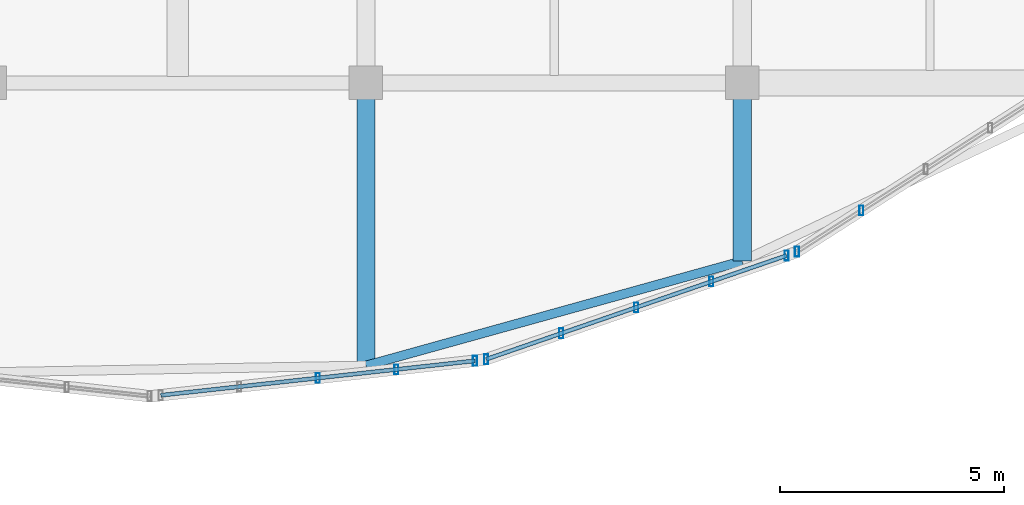
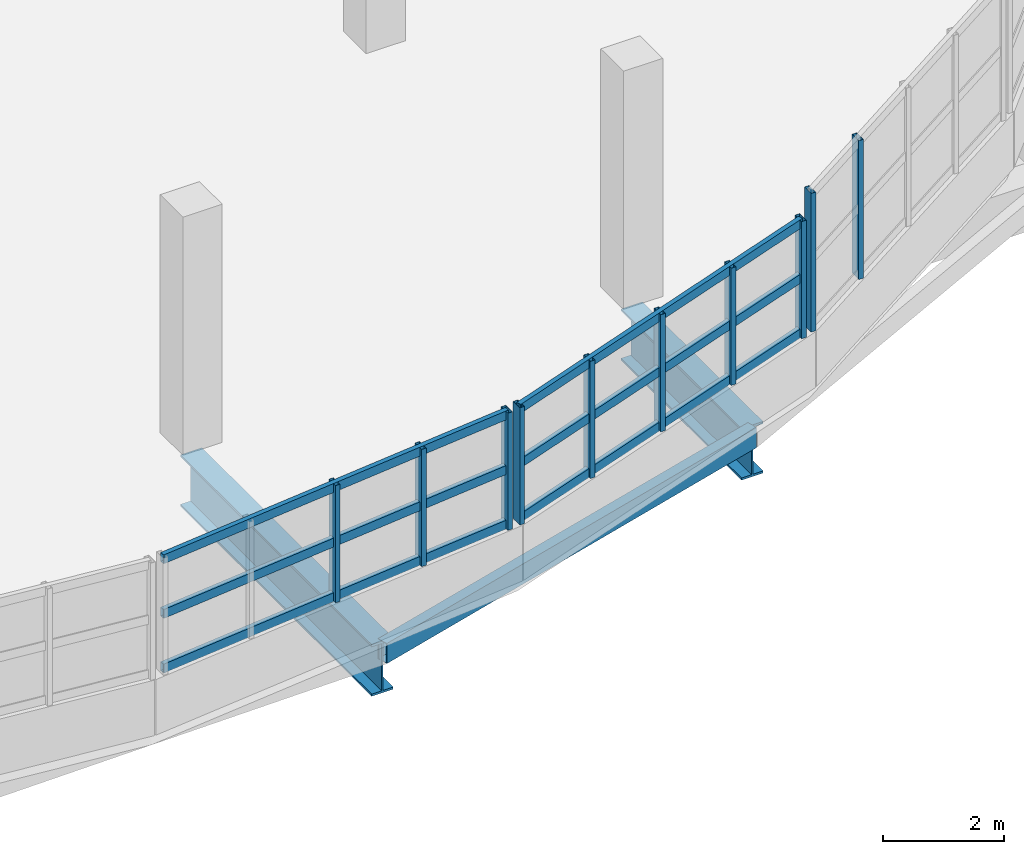
# One storey, part 17 of 77: 16 members, 3 beams, 3 elements without a shape of their own.
"""IFC4 building model written with IfcOpenShell, lengths in metres."""

from ifc_helpers import new_model, si_unit, direction, frame, origin, origin_2d, place, context, subcontext, project, spatial, hollow_rectangle, i_section, extrude, material, material_profile, profile_set, type_object, element, aggregate, save


model = new_model("IFC4")

# Units and contexts
model_context = context("Model", 3, precision=1e-05, world=origin(), true_north=direction((0.0, 1.0)))
body_context = subcontext(model_context, "Body", "Model", "MODEL_VIEW")
ifc_project = project(units=[si_unit("LENGTHUNIT", "METRE"), si_unit("AREAUNIT", "SQUARE_METRE"), si_unit("VOLUMEUNIT", "CUBIC_METRE"), si_unit("PLANEANGLEUNIT", "RADIAN"), si_unit("MASSUNIT", "GRAM", prefix="KILO")], contexts=[model_context])

# Site, building, storey
site_placement = place(None, origin())
site = spatial("IfcSite", under=ifc_project, at=site_placement, CompositionType="ELEMENT")
building_placement = place(site_placement, origin())
building = spatial("IfcBuilding", under=site, at=building_placement, Name="Solvento Point Concert Hall", CompositionType="ELEMENT")
storey_placement = place(building_placement, frame((0.0, 0.0, 10.199951171875)))
storey = spatial("IfcBuildingStorey", under=building, at=storey_placement, Name="L02", CompositionType="ELEMENT", Elevation=10.199951171875)

# Beams
ifc_material_1 = material(Name="Structural Steel ASTM A992 Grade 50", Category="steel")
ifc_material_profile_1 = material_profile(ifc_material_1, i_section(OverallWidth=0.408935546875, OverallDepth=1.041015625, WebThickness=0.031005859375, FlangeThickness=0.04443359375, at=origin_2d()), Name="W40X397")
ifc_profile_set_1 = profile_set([ifc_material_profile_1], Name="Structural Steel ASTM A992 Grade 50")
beam_type_1 = type_object("IfcBeamType", Name="CantileverGirder_W40X397", PredefinedType="USERDEFINED", material=ifc_profile_set_1)
beam_1_placement = place(storey_placement, frame((66.0, 17.0, -0.79541015625), z_axis=(0.0, -1.0, 0.0), x_axis=(1.0, 0.0, 0.0)))
element("IfcBeam", 1, at=beam_1_placement, inside=storey, type_object=beam_type_1, Name="Radial cantilever girder CG-01 L02", ObjectType="GIRDER", PredefinedType="USERDEFINED", context=body_context, shape_type="SweptSolid", body=[
    extrude(i_section(OverallWidth=0.408935546875, OverallDepth=1.041015625, WebThickness=0.031005859375, FlangeThickness=0.04443359375, at=origin_2d()), origin(), (0.0, 0.0, 1.0), 6.314208984375),
])
beam_2_placement = place(storey_placement, frame((74.39990234375, 17.0, -0.79541015625), z_axis=(0.0, -1.0, 0.0), x_axis=(1.0, 0.0, 0.0)))
element("IfcBeam", 2, at=beam_2_placement, inside=storey, type_object=beam_type_1, Name="Radial cantilever girder CG-01 L02", ObjectType="GIRDER", PredefinedType="USERDEFINED", context=body_context, shape_type="SweptSolid", body=[
    extrude(i_section(OverallWidth=0.408935546875, OverallDepth=1.041015625, WebThickness=0.031005859375, FlangeThickness=0.04443359375, at=origin_2d()), origin(), (0.0, 0.0, 1.0), 3.980712890625),
])

# Curtain wall, members
ifc_material_2 = material(Name="Anodized Bronze Aluminium", Category="aluminium")
curtain_wall_type = type_object("IfcCurtainWallType", Name="CurtainWall_RingRibbon_L01_02", PredefinedType="USERDEFINED", material=ifc_material_2)
curtain_wall_1_placement = place(storey_placement, origin())
curtain_wall_1 = element("IfcCurtainWall", 3, at=curtain_wall_1_placement, inside=storey, type_object=curtain_wall_type, Name="Unitised curtain wall CW-59 UCW-L02-183", ObjectType="UNITISED CURTAIN WALL", PredefinedType="USERDEFINED")
ifc_material_3 = material(Name="Anodized Bronze Aluminium", Category="aluminium")
ifc_material_profile_2 = material_profile(ifc_material_3, hollow_rectangle(XDim=0.090087890625, YDim=0.219970703125, WallThickness=0.00439453125, at=origin_2d()), Name="CW-MUL-90X220")
ifc_profile_set_2 = profile_set([ifc_material_profile_2], Name="Anodized Bronze Aluminium")
member_type_1 = type_object("IfcMemberType", Name="Mullion_90x220", PredefinedType="MULLION", material=ifc_profile_set_2)
member_1_placement = place(storey_placement, frame((77.063720703125, 14.1513671875, 1.1201171875), z_axis=(0.0, 0.0, 1.0), x_axis=(1.0, 0.0, 0.0)))
member_1 = element("IfcMember", 4, at=member_1_placement, type_object=member_type_1, Name="Curtain wall mullion ML-02", PredefinedType="MULLION", context=body_context, shape_type="SweptSolid", body=[
    extrude(hollow_rectangle(XDim=0.090087890625, YDim=0.219970703125, WallThickness=0.00439453125, at=origin_2d()), origin(), (0.0, 0.0, 1.0), 2.7958984375),
])
member_2_placement = place(storey_placement, frame((75.625244140625, 13.231689453125, 1.1201171875), z_axis=(0.0, 0.0, 1.0), x_axis=(1.0, 0.0, 0.0)))
member_2 = element("IfcMember", 5, at=member_2_placement, type_object=member_type_1, Name="Curtain wall mullion ML-02", PredefinedType="MULLION", context=body_context, shape_type="SweptSolid", body=[
    extrude(hollow_rectangle(XDim=0.090087890625, YDim=0.219970703125, WallThickness=0.00439453125, at=origin_2d()), origin(), (0.0, 0.0, 1.0), 2.7958984375),
])
aggregate(curtain_wall_1, [member_1, member_2])

curtain_wall_2_placement = place(storey_placement, origin())
curtain_wall_2 = element("IfcCurtainWall", 6, at=curtain_wall_2_placement, inside=storey, type_object=curtain_wall_type, Name="Unitised curtain wall CW-59 UCW-L02-184", ObjectType="UNITISED CURTAIN WALL", PredefinedType="USERDEFINED")
member_3_placement = place(storey_placement, frame((75.39208984375, 13.1435546875, 1.1201171875), z_axis=(0.0, 0.0, 1.0), x_axis=(1.0, 0.0, 0.0)))
member_3 = element("IfcMember", 7, at=member_3_placement, type_object=member_type_1, Name="Curtain wall mullion ML-02", PredefinedType="MULLION", context=body_context, shape_type="SweptSolid", body=[
    extrude(hollow_rectangle(XDim=0.090087890625, YDim=0.219970703125, WallThickness=0.00439453125, at=origin_2d()), origin(), (0.0, 0.0, 1.0), 2.36181640625),
])
member_4_placement = place(storey_placement, frame((73.714599609375, 12.564697265625, 1.1201171875), z_axis=(0.0, 0.0, 1.0), x_axis=(1.0, 0.0, 0.0)))
member_4 = element("IfcMember", 8, at=member_4_placement, type_object=member_type_1, Name="Curtain wall mullion ML-02", PredefinedType="MULLION", context=body_context, shape_type="SweptSolid", body=[
    extrude(hollow_rectangle(XDim=0.090087890625, YDim=0.219970703125, WallThickness=0.00439453125, at=origin_2d()), origin(), (0.0, 0.0, 1.0), 2.36181640625),
])
member_5_placement = place(storey_placement, frame((72.037109375, 11.985595703125, 1.1201171875), z_axis=(0.0, 0.0, 1.0), x_axis=(1.0, 0.0, 0.0)))
member_5 = element("IfcMember", 9, at=member_5_placement, type_object=member_type_1, Name="Curtain wall mullion ML-02", PredefinedType="MULLION", context=body_context, shape_type="SweptSolid", body=[
    extrude(hollow_rectangle(XDim=0.090087890625, YDim=0.219970703125, WallThickness=0.00439453125, at=origin_2d()), origin(), (0.0, 0.0, 1.0), 2.36181640625),
])
member_6_placement = place(storey_placement, frame((70.35986328125, 11.406494140625, 1.1201171875), z_axis=(0.0, 0.0, 1.0), x_axis=(1.0, 0.0, 0.0)))
member_6 = element("IfcMember", 10, at=member_6_placement, type_object=member_type_1, Name="Curtain wall mullion ML-02", PredefinedType="MULLION", context=body_context, shape_type="SweptSolid", body=[
    extrude(hollow_rectangle(XDim=0.090087890625, YDim=0.219970703125, WallThickness=0.00439453125, at=origin_2d()), origin(), (0.0, 0.0, 1.0), 2.36181640625),
])
member_7_placement = place(storey_placement, frame((68.682373046875, 10.82763671875, 1.1201171875), z_axis=(0.0, 0.0, 1.0), x_axis=(1.0, 0.0, 0.0)))
member_7 = element("IfcMember", 11, at=member_7_placement, type_object=member_type_1, Name="Curtain wall mullion ML-02", PredefinedType="MULLION", context=body_context, shape_type="SweptSolid", body=[
    extrude(hollow_rectangle(XDim=0.090087890625, YDim=0.219970703125, WallThickness=0.00439453125, at=origin_2d()), origin(), (0.0, 0.0, 1.0), 2.36181640625),
])

curtain_wall_3_placement = place(storey_placement, origin())
curtain_wall_3 = element("IfcCurtainWall", 12, at=curtain_wall_3_placement, inside=storey, type_object=curtain_wall_type, Name="Unitised curtain wall CW-59 UCW-L02-185", ObjectType="UNITISED CURTAIN WALL", PredefinedType="USERDEFINED")
member_8_placement = place(storey_placement, frame((68.435302734375, 10.793701171875, 1.1201171875), z_axis=(0.0, 0.0, 1.0), x_axis=(1.0, 0.0, 0.0)))
member_8 = element("IfcMember", 13, at=member_8_placement, type_object=member_type_1, Name="Curtain wall mullion ML-02", PredefinedType="MULLION", context=body_context, shape_type="SweptSolid", body=[
    extrude(hollow_rectangle(XDim=0.090087890625, YDim=0.219970703125, WallThickness=0.00439453125, at=origin_2d()), origin(), (0.0, 0.0, 1.0), 2.36181640625),
])
member_9_placement = place(storey_placement, frame((66.68115234375, 10.601318359375, 1.1201171875), z_axis=(0.0, 0.0, 1.0), x_axis=(1.0, 0.0, 0.0)))
member_9 = element("IfcMember", 14, at=member_9_placement, type_object=member_type_1, Name="Curtain wall mullion ML-02", PredefinedType="MULLION", context=body_context, shape_type="SweptSolid", body=[
    extrude(hollow_rectangle(XDim=0.090087890625, YDim=0.219970703125, WallThickness=0.00439453125, at=origin_2d()), origin(), (0.0, 0.0, 1.0), 2.36181640625),
])
member_10_placement = place(storey_placement, frame((64.927001953125, 10.408935546875, 1.1201171875), z_axis=(0.0, 0.0, 1.0), x_axis=(1.0, 0.0, 0.0)))
member_10 = element("IfcMember", 15, at=member_10_placement, type_object=member_type_1, Name="Curtain wall mullion ML-02", PredefinedType="MULLION", context=body_context, shape_type="SweptSolid", body=[
    extrude(hollow_rectangle(XDim=0.090087890625, YDim=0.219970703125, WallThickness=0.00439453125, at=origin_2d()), origin(), (0.0, 0.0, 1.0), 2.36181640625),
])

# Beam
ifc_material_4 = material(Name="Structural Steel ASTM A500 Grade C", Category="steel")
ifc_material_profile_3 = material_profile(ifc_material_4, hollow_rectangle(XDim=0.203125, YDim=0.406494140625, WallThickness=0.01171875, at=origin_2d()), Name="HSS16X8X1/2")
ifc_profile_set_3 = profile_set([ifc_material_profile_3], Name="Structural Steel ASTM A500 Grade C")
beam_type_2 = type_object("IfcBeamType", Name="RingBeam_HSS16X8", PredefinedType="SPANDREL", material=ifc_profile_set_3)
beam_3_placement = place(storey_placement, frame((66.0, 10.685791015625, -0.47705078125), z_axis=(0.963512292531, 0.26766408452, 0.0), x_axis=(-0.26766408452, 0.963512292531, 0.0)))
element("IfcBeam", 16, at=beam_3_placement, inside=storey, type_object=beam_type_2, Name="Elliptical perimeter ring beam RB-01 L02", PredefinedType="SPANDREL", context=body_context, shape_type="SweptSolid", body=[
    extrude(hollow_rectangle(XDim=0.203125, YDim=0.406494140625, WallThickness=0.01171875, at=origin_2d()), origin(), (0.0, 0.0, 1.0), 8.718017578125),
])

# Member
ifc_material_5 = material(Name="Anodized Bronze Aluminium", Category="aluminium")
ifc_material_profile_4 = material_profile(ifc_material_5, hollow_rectangle(XDim=0.090087890625, YDim=0.179931640625, WallThickness=0.00439453125, at=origin_2d()), Name="CW-TRN-90X180")
ifc_profile_set_4 = profile_set([ifc_material_profile_4], Name="Anodized Bronze Aluminium")
member_type_2 = type_object("IfcMemberType", Name="Transom_90x180", PredefinedType="USERDEFINED", material=ifc_profile_set_4)
member_11_placement = place(storey_placement, frame((75.39208984375, 13.1435546875, 1.199951171875), z_axis=(-0.945276444278, -0.326270507238, 0.0), x_axis=(0.326270507238, -0.945276444278, 0.0)))
member_11 = element("IfcMember", 17, at=member_11_placement, type_object=member_type_2, Name="Curtain wall transom TR-02", ObjectType="TRANSOM", PredefinedType="USERDEFINED", context=body_context, shape_type="SweptSolid", body=[
    extrude(hollow_rectangle(XDim=0.090087890625, YDim=0.179931640625, WallThickness=0.00439453125, at=origin_2d()), origin(), (0.0, 0.0, 1.0), 7.09814453125),
])

member_12_placement = place(storey_placement, frame((75.39208984375, 13.1435546875, 2.301025390625), z_axis=(-0.945276444278, -0.326270507238, 0.0), x_axis=(0.326270507238, -0.945276444278, 0.0)))
member_12 = element("IfcMember", 18, at=member_12_placement, type_object=member_type_2, Name="Curtain wall transom TR-02", ObjectType="TRANSOM", PredefinedType="USERDEFINED", context=body_context, shape_type="SweptSolid", body=[
    extrude(hollow_rectangle(XDim=0.090087890625, YDim=0.179931640625, WallThickness=0.00439453125, at=origin_2d()), origin(), (0.0, 0.0, 1.0), 7.09814453125),
])

member_13_placement = place(storey_placement, frame((75.39208984375, 13.1435546875, 3.402099609375), z_axis=(-0.945276444278, -0.326270507238, 0.0), x_axis=(0.326270507238, -0.945276444278, 0.0)))
member_13 = element("IfcMember", 19, at=member_13_placement, type_object=member_type_2, Name="Curtain wall transom TR-02", ObjectType="TRANSOM", PredefinedType="USERDEFINED", context=body_context, shape_type="SweptSolid", body=[
    extrude(hollow_rectangle(XDim=0.090087890625, YDim=0.179931640625, WallThickness=0.00439453125, at=origin_2d()), origin(), (0.0, 0.0, 1.0), 7.09814453125),
])

aggregate(curtain_wall_2, [member_3, member_4, member_5, member_6, member_7, member_11, member_12, member_13])

member_14_placement = place(storey_placement, frame((68.435302734375, 10.793701171875, 1.199951171875), z_axis=(-0.994035890975, -0.109053415597, 0.0), x_axis=(0.109053415597, -0.994035890975, 0.0)))
member_14 = element("IfcMember", 20, at=member_14_placement, type_object=member_type_2, Name="Curtain wall transom TR-02", ObjectType="TRANSOM", PredefinedType="USERDEFINED", context=body_context, shape_type="SweptSolid", body=[
    extrude(hollow_rectangle(XDim=0.090087890625, YDim=0.179931640625, WallThickness=0.00439453125, at=origin_2d()), origin(), (0.0, 0.0, 1.0), 7.05859375),
])

member_15_placement = place(storey_placement, frame((68.435302734375, 10.793701171875, 2.301025390625), z_axis=(-0.994035890975, -0.109053415597, 0.0), x_axis=(0.109053415597, -0.994035890975, 0.0)))
member_15 = element("IfcMember", 21, at=member_15_placement, type_object=member_type_2, Name="Curtain wall transom TR-02", ObjectType="TRANSOM", PredefinedType="USERDEFINED", context=body_context, shape_type="SweptSolid", body=[
    extrude(hollow_rectangle(XDim=0.090087890625, YDim=0.179931640625, WallThickness=0.00439453125, at=origin_2d()), origin(), (0.0, 0.0, 1.0), 7.05859375),
])

member_16_placement = place(storey_placement, frame((68.435302734375, 10.793701171875, 3.402099609375), z_axis=(-0.994035890975, -0.109053415597, 0.0), x_axis=(0.109053415597, -0.994035890975, 0.0)))
member_16 = element("IfcMember", 22, at=member_16_placement, type_object=member_type_2, Name="Curtain wall transom TR-02", ObjectType="TRANSOM", PredefinedType="USERDEFINED", context=body_context, shape_type="SweptSolid", body=[
    extrude(hollow_rectangle(XDim=0.090087890625, YDim=0.179931640625, WallThickness=0.00439453125, at=origin_2d()), origin(), (0.0, 0.0, 1.0), 7.05859375),
])

aggregate(curtain_wall_3, [member_8, member_9, member_10, member_14, member_15, member_16])

save(model, "model.ifc")
